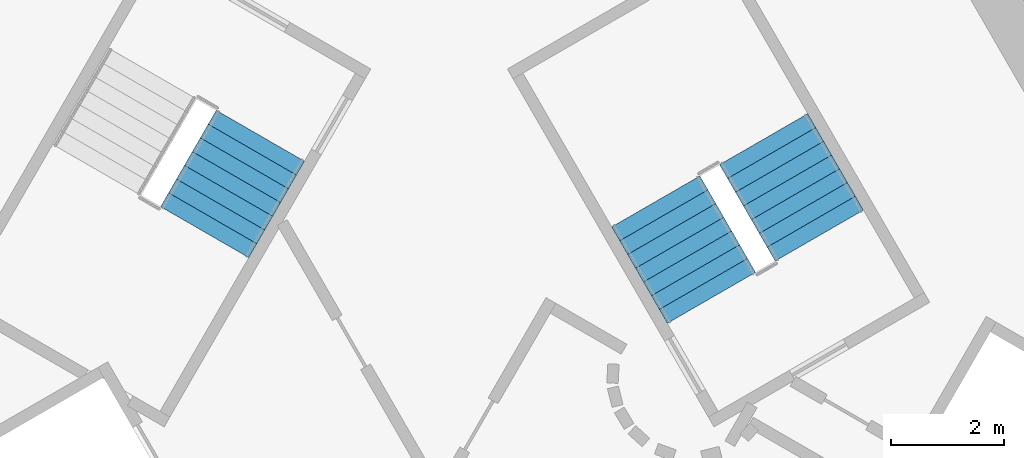
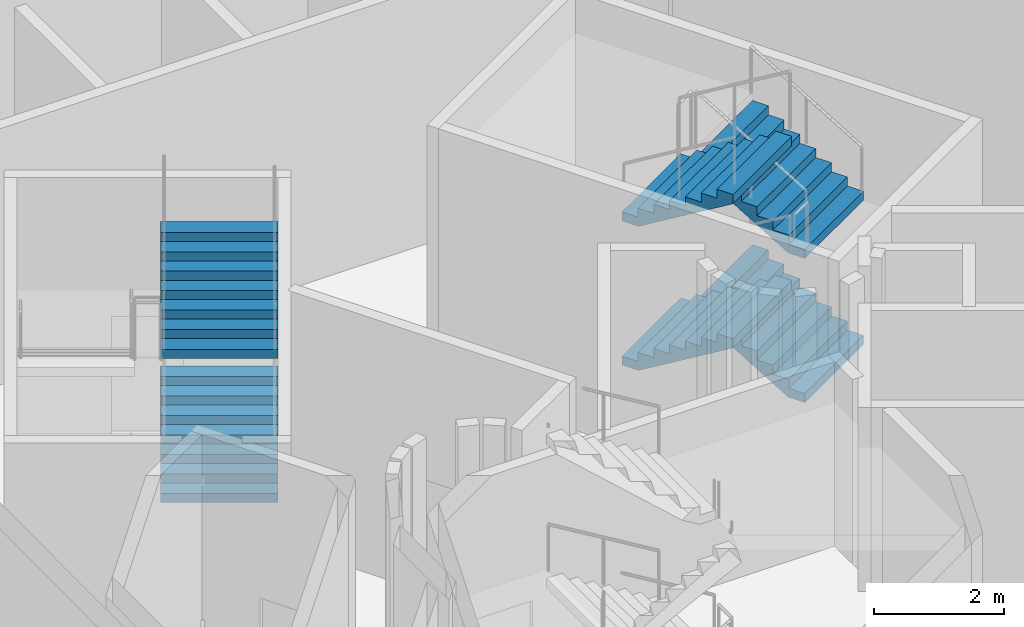
# One storey, part 15 of 22: 6 stair flights, 2 elements without a shape of their own.
"""IFC4 building model written with IfcOpenShell, lengths in metres."""

from ifc_helpers import new_model, si_unit, direction, frame, origin, place, context, subcontext, project, spatial, triangles, material, type_object, element, aggregate, save


model = new_model("IFC4")

# Units and contexts
model_context = context("Model", 3, precision=1e-05, world=origin(), true_north=direction((0.0, 1.0)))
body_context = subcontext(model_context, "Body", "Model", "MODEL_VIEW")
ifc_project = project(units=[si_unit("LENGTHUNIT", "METRE"), si_unit("AREAUNIT", "SQUARE_METRE"), si_unit("VOLUMEUNIT", "CUBIC_METRE"), si_unit("PLANEANGLEUNIT", "RADIAN"), si_unit("MASSUNIT", "GRAM", prefix="KILO")], contexts=[model_context])

# Site, building, storey
site_placement = place(None, origin())
site = spatial("IfcSite", under=ifc_project, at=site_placement, CompositionType="ELEMENT")
building_placement = place(site_placement, origin())
building = spatial("IfcBuilding", under=site, at=building_placement, Name="Entoto Arch Interchange Tower", CompositionType="ELEMENT")
storey_placement = place(building_placement, frame((0.0, 0.0, 132.800048828125)))
storey = spatial("IfcBuildingStorey", under=building, at=storey_placement, Name="L29", CompositionType="ELEMENT", Elevation=132.800048828125)

# Stair, stair flights
ifc_material = material(Name="Concrete C40/50", Category="concrete")
stair_type = type_object("IfcStairType", Name="EXIT STAIR RC 1800", PredefinedType="HALF_TURN_STAIR", material=ifc_material)
stair_1_placement = place(storey_placement, origin())
stair_1 = element("IfcStair", 1, at=stair_1_placement, inside=storey, type_object=stair_type, Name="L29 Exit stair NE", PredefinedType="HALF_TURN_STAIR")
stair_flight_type = type_object("IfcStairFlightType", Name="EXIT STAIR FLIGHT RC 1800", PredefinedType="STRAIGHT", material=ifc_material)
stair_flight_1_placement = place(storey_placement, frame((6.7138671875, 4.470947265625, 0.0), z_axis=(0.0, 0.0, 1.0), x_axis=(-0.5, 0.866025403784, 0.0)))
stair_flight_1 = element("IfcStairFlight", 2, at=stair_flight_1_placement, type_object=stair_flight_type, Name="ST-NE flight 1", NumberOfRisers=8, NumberOfTreads=7, PredefinedType="STRAIGHT", RiserHeight=0.16875, TreadLength=0.28, context=body_context, shape_type="Tessellation", body=[
    triangles([(-0.003, -0.900024, 0.0), (-0.003, -0.900024, 0.16875), (0.28, -0.900024, 0.16875), (0.28, -0.900024, 0.3375), (0.56, -0.900024, 0.3375), (0.56, -0.900024, 0.50625), (0.84, -0.900024, 0.50625), (0.84, -0.900024, 0.675), (1.12, -0.900024, 0.675), (1.12, -0.900024, 0.84375), (1.4, -0.900024, 0.84375), (1.4, -0.900024, 1.0125), (1.68, -0.900024, 1.0125), (1.68, -0.900024, 1.18125), (1.96, -0.900024, 1.18125), (1.963, -0.900024, 1.18125), (1.963, -0.900024, 1.008036), (0.290406, -0.900024, 0.0), (-0.003, 0.900024, 0.0), (-0.003, 0.900024, 0.16875), (0.28, 0.900024, 0.16875), (0.28, 0.900024, 0.3375), (0.56, 0.900024, 0.3375), (0.56, 0.900024, 0.50625), (0.84, 0.900024, 0.50625), (0.84, 0.900024, 0.675), (1.12, 0.900024, 0.675), (1.12, 0.900024, 0.84375), (1.4, 0.900024, 0.84375), (1.4, 0.900024, 1.0125), (1.68, 0.900024, 1.0125), (1.68, 0.900024, 1.18125), (1.96, 0.900024, 1.18125), (1.963, 0.900024, 1.18125), (1.963, 0.900024, 1.008036), (0.290406, 0.900024, 0.0), (-0.003, -0.450012, 0.0), (-0.003, -0.450012, 0.16875), (-0.003, 0.0, 0.0), (-0.003, 0.0, 0.16875), (-0.003, 0.450012, 0.0), (-0.003, 0.450012, 0.16875), (0.28, -0.450012, 0.16875), (0.28, 0.0, 0.16875), (0.28, 0.450012, 0.16875), (0.28, -0.450012, 0.3375), (0.28, 0.0, 0.3375), (0.28, 0.450012, 0.3375), (0.56, -0.450012, 0.3375), (0.56, 0.0, 0.3375), (0.56, 0.450012, 0.3375), (0.56, -0.450012, 0.50625), (0.56, 0.0, 0.50625), (0.56, 0.450012, 0.50625), (0.84, -0.450012, 0.50625), (0.84, 0.0, 0.50625), (0.84, 0.450012, 0.50625), (0.84, -0.450012, 0.675), (0.84, 0.0, 0.675), (0.84, 0.450012, 0.675), (1.12, -0.450012, 0.675), (1.12, 0.0, 0.675), (1.12, 0.450012, 0.675), (1.12, -0.450012, 0.84375), (1.12, 0.0, 0.84375), (1.12, 0.450012, 0.84375), (1.4, -0.450012, 0.84375), (1.4, 0.0, 0.84375), (1.4, 0.450012, 0.84375), (1.4, -0.450012, 1.0125), (1.4, 0.0, 1.0125), (1.4, 0.450012, 1.0125), (1.68, -0.450012, 1.0125), (1.68, 0.0, 1.0125), (1.68, 0.450012, 1.0125), (1.68, -0.450012, 1.18125), (1.68, 0.0, 1.18125), (1.68, 0.450012, 1.18125), (1.96, -0.450012, 1.18125), (1.96, 0.0, 1.18125), (1.96, 0.450012, 1.18125), (1.963, -0.450012, 1.18125), (1.963, 0.0, 1.18125), (1.963, 0.450012, 1.18125), (1.963, -0.450012, 1.008036), (1.963, 0.0, 1.008036), (1.963, 0.450012, 1.008036), (0.290406, -0.450012, 0.0), (0.290406, 0.0, 0.0), (0.290406, 0.450012, 0.0)], [[1, 18, 17], [17, 16, 15], [17, 15, 14], [17, 14, 13], [17, 13, 12], [17, 12, 11], [11, 10, 9], [17, 11, 9], [9, 8, 7], [17, 9, 7], [7, 6, 5], [17, 7, 5], [5, 4, 3], [17, 5, 3], [1, 17, 3], [3, 2, 1], [19, 35, 36], [35, 33, 34], [35, 32, 33], [35, 31, 32], [35, 30, 31], [35, 29, 30], [29, 27, 28], [35, 27, 29], [27, 25, 26], [35, 25, 27], [25, 23, 24], [35, 23, 25], [23, 21, 22], [35, 21, 23], [19, 21, 35], [21, 19, 20], [1, 2, 38], [1, 38, 37], [37, 38, 40], [37, 40, 39], [39, 40, 42], [39, 42, 41], [41, 42, 20], [41, 20, 19], [2, 3, 43], [2, 43, 38], [38, 43, 44], [38, 44, 40], [40, 44, 45], [40, 45, 42], [42, 45, 21], [42, 21, 20], [3, 4, 46], [3, 46, 43], [43, 46, 47], [43, 47, 44], [44, 47, 48], [44, 48, 45], [45, 48, 22], [45, 22, 21], [4, 5, 49], [4, 49, 46], [46, 49, 50], [46, 50, 47], [47, 50, 51], [47, 51, 48], [48, 51, 23], [48, 23, 22], [5, 6, 52], [5, 52, 49], [49, 52, 53], [49, 53, 50], [50, 53, 54], [50, 54, 51], [51, 54, 24], [51, 24, 23], [6, 7, 55], [6, 55, 52], [52, 55, 56], [52, 56, 53], [53, 56, 57], [53, 57, 54], [54, 57, 25], [54, 25, 24], [7, 8, 58], [7, 58, 55], [55, 58, 59], [55, 59, 56], [56, 59, 60], [56, 60, 57], [57, 60, 26], [57, 26, 25], [8, 9, 61], [8, 61, 58], [58, 61, 62], [58, 62, 59], [59, 62, 63], [59, 63, 60], [60, 63, 27], [60, 27, 26], [9, 10, 64], [9, 64, 61], [61, 64, 65], [61, 65, 62], [62, 65, 66], [62, 66, 63], [63, 66, 28], [63, 28, 27], [10, 11, 67], [10, 67, 64], [64, 67, 68], [64, 68, 65], [65, 68, 69], [65, 69, 66], [66, 69, 29], [66, 29, 28], [11, 12, 70], [11, 70, 67], [67, 70, 71], [67, 71, 68], [68, 71, 72], [68, 72, 69], [69, 72, 30], [69, 30, 29], [12, 13, 73], [12, 73, 70], [70, 73, 74], [70, 74, 71], [71, 74, 75], [71, 75, 72], [72, 75, 31], [72, 31, 30], [13, 14, 76], [13, 76, 73], [73, 76, 77], [73, 77, 74], [74, 77, 78], [74, 78, 75], [75, 78, 32], [75, 32, 31], [14, 15, 79], [14, 79, 76], [76, 79, 80], [76, 80, 77], [77, 80, 81], [77, 81, 78], [78, 81, 33], [78, 33, 32], [15, 16, 82], [15, 82, 79], [79, 82, 83], [79, 83, 80], [80, 83, 84], [80, 84, 81], [81, 84, 34], [81, 34, 33], [16, 17, 85], [16, 85, 82], [82, 85, 86], [82, 86, 83], [83, 86, 87], [83, 87, 84], [84, 87, 35], [84, 35, 34], [17, 18, 88], [17, 88, 85], [85, 88, 89], [85, 89, 86], [86, 89, 90], [86, 90, 87], [87, 90, 36], [87, 36, 35], [18, 1, 37], [18, 37, 88], [88, 37, 39], [88, 39, 89], [89, 39, 41], [89, 41, 90], [90, 41, 19], [90, 19, 36]], closed=True),
])
stair_flight_2_placement = place(storey_placement, frame((3.82861328125, 5.068359375, 1.349853515625), z_axis=(0.0, 0.0, 1.0), x_axis=(0.5, -0.866025403784, 0.0)))
stair_flight_2 = element("IfcStairFlight", 3, at=stair_flight_2_placement, type_object=stair_flight_type, Name="ST-NE flight 2", NumberOfRisers=8, NumberOfTreads=7, PredefinedType="STRAIGHT", RiserHeight=0.16875, TreadLength=0.28, context=body_context, shape_type="Tessellation", body=[
    triangles([(-0.003, -0.900024, 0.0), (-0.003, -0.900024, 0.16875), (0.28, -0.900024, 0.16875), (0.28, -0.900024, 0.3375), (0.56, -0.900024, 0.3375), (0.56, -0.900024, 0.50625), (0.84, -0.900024, 0.50625), (0.84, -0.900024, 0.675), (1.12, -0.900024, 0.675), (1.12, -0.900024, 0.84375), (1.4, -0.900024, 0.84375), (1.4, -0.900024, 1.0125), (1.68, -0.900024, 1.0125), (1.68, -0.900024, 1.18125), (1.96, -0.900024, 1.18125), (1.963, -0.900024, 1.18125), (1.963, -0.900024, 1.008036), (0.290406, -0.900024, 0.0), (-0.003, 0.900024, 0.0), (-0.003, 0.900024, 0.16875), (0.28, 0.900024, 0.16875), (0.28, 0.900024, 0.3375), (0.56, 0.900024, 0.3375), (0.56, 0.900024, 0.50625), (0.84, 0.900024, 0.50625), (0.84, 0.900024, 0.675), (1.12, 0.900024, 0.675), (1.12, 0.900024, 0.84375), (1.4, 0.900024, 0.84375), (1.4, 0.900024, 1.0125), (1.68, 0.900024, 1.0125), (1.68, 0.900024, 1.18125), (1.96, 0.900024, 1.18125), (1.963, 0.900024, 1.18125), (1.963, 0.900024, 1.008036), (0.290406, 0.900024, 0.0), (-0.003, -0.450012, 0.0), (-0.003, -0.450012, 0.16875), (-0.003, 0.0, 0.0), (-0.003, 0.0, 0.16875), (-0.003, 0.450012, 0.0), (-0.003, 0.450012, 0.16875), (0.28, -0.450012, 0.16875), (0.28, 0.0, 0.16875), (0.28, 0.450012, 0.16875), (0.28, -0.450012, 0.3375), (0.28, 0.0, 0.3375), (0.28, 0.450012, 0.3375), (0.56, -0.450012, 0.3375), (0.56, 0.0, 0.3375), (0.56, 0.450012, 0.3375), (0.56, -0.450012, 0.50625), (0.56, 0.0, 0.50625), (0.56, 0.450012, 0.50625), (0.84, -0.450012, 0.50625), (0.84, 0.0, 0.50625), (0.84, 0.450012, 0.50625), (0.84, -0.450012, 0.675), (0.84, 0.0, 0.675), (0.84, 0.450012, 0.675), (1.12, -0.450012, 0.675), (1.12, 0.0, 0.675), (1.12, 0.450012, 0.675), (1.12, -0.450012, 0.84375), (1.12, 0.0, 0.84375), (1.12, 0.450012, 0.84375), (1.4, -0.450012, 0.84375), (1.4, 0.0, 0.84375), (1.4, 0.450012, 0.84375), (1.4, -0.450012, 1.0125), (1.4, 0.0, 1.0125), (1.4, 0.450012, 1.0125), (1.68, -0.450012, 1.0125), (1.68, 0.0, 1.0125), (1.68, 0.450012, 1.0125), (1.68, -0.450012, 1.18125), (1.68, 0.0, 1.18125), (1.68, 0.450012, 1.18125), (1.96, -0.450012, 1.18125), (1.96, 0.0, 1.18125), (1.96, 0.450012, 1.18125), (1.963, -0.450012, 1.18125), (1.963, 0.0, 1.18125), (1.963, 0.450012, 1.18125), (1.963, -0.450012, 1.008036), (1.963, 0.0, 1.008036), (1.963, 0.450012, 1.008036), (0.290406, -0.450012, 0.0), (0.290406, 0.0, 0.0), (0.290406, 0.450012, 0.0)], [[1, 18, 17], [17, 16, 15], [17, 15, 14], [17, 14, 13], [17, 13, 12], [17, 12, 11], [11, 10, 9], [17, 11, 9], [9, 8, 7], [17, 9, 7], [7, 6, 5], [17, 7, 5], [5, 4, 3], [17, 5, 3], [1, 17, 3], [3, 2, 1], [19, 35, 36], [35, 33, 34], [35, 32, 33], [35, 31, 32], [35, 30, 31], [35, 29, 30], [29, 27, 28], [35, 27, 29], [27, 25, 26], [35, 25, 27], [25, 23, 24], [35, 23, 25], [23, 21, 22], [35, 21, 23], [19, 21, 35], [21, 19, 20], [1, 2, 38], [1, 38, 37], [37, 38, 40], [37, 40, 39], [39, 40, 42], [39, 42, 41], [41, 42, 20], [41, 20, 19], [2, 3, 43], [2, 43, 38], [38, 43, 44], [38, 44, 40], [40, 44, 45], [40, 45, 42], [42, 45, 21], [42, 21, 20], [3, 4, 46], [3, 46, 43], [43, 46, 47], [43, 47, 44], [44, 47, 48], [44, 48, 45], [45, 48, 22], [45, 22, 21], [4, 5, 49], [4, 49, 46], [46, 49, 50], [46, 50, 47], [47, 50, 51], [47, 51, 48], [48, 51, 23], [48, 23, 22], [5, 6, 52], [5, 52, 49], [49, 52, 53], [49, 53, 50], [50, 53, 54], [50, 54, 51], [51, 54, 24], [51, 24, 23], [6, 7, 55], [6, 55, 52], [52, 55, 56], [52, 56, 53], [53, 56, 57], [53, 57, 54], [54, 57, 25], [54, 25, 24], [7, 8, 58], [7, 58, 55], [55, 58, 59], [55, 59, 56], [56, 59, 60], [56, 60, 57], [57, 60, 26], [57, 26, 25], [8, 9, 61], [8, 61, 58], [58, 61, 62], [58, 62, 59], [59, 62, 63], [59, 63, 60], [60, 63, 27], [60, 27, 26], [9, 10, 64], [9, 64, 61], [61, 64, 65], [61, 65, 62], [62, 65, 66], [62, 66, 63], [63, 66, 28], [63, 28, 27], [10, 11, 67], [10, 67, 64], [64, 67, 68], [64, 68, 65], [65, 68, 69], [65, 69, 66], [66, 69, 29], [66, 29, 28], [11, 12, 70], [11, 70, 67], [67, 70, 71], [67, 71, 68], [68, 71, 72], [68, 72, 69], [69, 72, 30], [69, 30, 29], [12, 13, 73], [12, 73, 70], [70, 73, 74], [70, 74, 71], [71, 74, 75], [71, 75, 72], [72, 75, 31], [72, 31, 30], [13, 14, 76], [13, 76, 73], [73, 76, 77], [73, 77, 74], [74, 77, 78], [74, 78, 75], [75, 78, 32], [75, 32, 31], [14, 15, 79], [14, 79, 76], [76, 79, 80], [76, 80, 77], [77, 80, 81], [77, 81, 78], [78, 81, 33], [78, 33, 32], [15, 16, 82], [15, 82, 79], [79, 82, 83], [79, 83, 80], [80, 83, 84], [80, 84, 81], [81, 84, 34], [81, 34, 33], [16, 17, 85], [16, 85, 82], [82, 85, 86], [82, 86, 83], [83, 86, 87], [83, 87, 84], [84, 87, 35], [84, 35, 34], [17, 18, 88], [17, 88, 85], [85, 88, 89], [85, 89, 86], [86, 89, 90], [86, 90, 87], [87, 90, 36], [87, 36, 35], [18, 1, 37], [18, 37, 88], [88, 37, 39], [88, 39, 89], [89, 39, 41], [89, 41, 90], [90, 41, 19], [90, 19, 36]], closed=True),
])
stair_flight_3_placement = place(storey_placement, frame((6.7138671875, 4.470947265625, 2.699951171875), z_axis=(0.0, 0.0, 1.0), x_axis=(-0.5, 0.866025403784, 0.0)))
stair_flight_3 = element("IfcStairFlight", 4, at=stair_flight_3_placement, type_object=stair_flight_type, Name="ST-NE flight 3", NumberOfRisers=8, NumberOfTreads=7, PredefinedType="STRAIGHT", RiserHeight=0.16875, TreadLength=0.28, context=body_context, shape_type="Tessellation", body=[
    triangles([(-0.003, -0.900024, 0.0), (-0.003, -0.900024, 0.16875), (0.28, -0.900024, 0.16875), (0.28, -0.900024, 0.3375), (0.56, -0.900024, 0.3375), (0.56, -0.900024, 0.50625), (0.84, -0.900024, 0.50625), (0.84, -0.900024, 0.675), (1.12, -0.900024, 0.675), (1.12, -0.900024, 0.84375), (1.4, -0.900024, 0.84375), (1.4, -0.900024, 1.0125), (1.68, -0.900024, 1.0125), (1.68, -0.900024, 1.18125), (1.96, -0.900024, 1.18125), (1.963, -0.900024, 1.18125), (1.963, -0.900024, 1.008036), (0.290406, -0.900024, 0.0), (-0.003, 0.900024, 0.0), (-0.003, 0.900024, 0.16875), (0.28, 0.900024, 0.16875), (0.28, 0.900024, 0.3375), (0.56, 0.900024, 0.3375), (0.56, 0.900024, 0.50625), (0.84, 0.900024, 0.50625), (0.84, 0.900024, 0.675), (1.12, 0.900024, 0.675), (1.12, 0.900024, 0.84375), (1.4, 0.900024, 0.84375), (1.4, 0.900024, 1.0125), (1.68, 0.900024, 1.0125), (1.68, 0.900024, 1.18125), (1.96, 0.900024, 1.18125), (1.963, 0.900024, 1.18125), (1.963, 0.900024, 1.008036), (0.290406, 0.900024, 0.0), (-0.003, -0.450012, 0.0), (-0.003, -0.450012, 0.16875), (-0.003, 0.0, 0.0), (-0.003, 0.0, 0.16875), (-0.003, 0.450012, 0.0), (-0.003, 0.450012, 0.16875), (0.28, -0.450012, 0.16875), (0.28, 0.0, 0.16875), (0.28, 0.450012, 0.16875), (0.28, -0.450012, 0.3375), (0.28, 0.0, 0.3375), (0.28, 0.450012, 0.3375), (0.56, -0.450012, 0.3375), (0.56, 0.0, 0.3375), (0.56, 0.450012, 0.3375), (0.56, -0.450012, 0.50625), (0.56, 0.0, 0.50625), (0.56, 0.450012, 0.50625), (0.84, -0.450012, 0.50625), (0.84, 0.0, 0.50625), (0.84, 0.450012, 0.50625), (0.84, -0.450012, 0.675), (0.84, 0.0, 0.675), (0.84, 0.450012, 0.675), (1.12, -0.450012, 0.675), (1.12, 0.0, 0.675), (1.12, 0.450012, 0.675), (1.12, -0.450012, 0.84375), (1.12, 0.0, 0.84375), (1.12, 0.450012, 0.84375), (1.4, -0.450012, 0.84375), (1.4, 0.0, 0.84375), (1.4, 0.450012, 0.84375), (1.4, -0.450012, 1.0125), (1.4, 0.0, 1.0125), (1.4, 0.450012, 1.0125), (1.68, -0.450012, 1.0125), (1.68, 0.0, 1.0125), (1.68, 0.450012, 1.0125), (1.68, -0.450012, 1.18125), (1.68, 0.0, 1.18125), (1.68, 0.450012, 1.18125), (1.96, -0.450012, 1.18125), (1.96, 0.0, 1.18125), (1.96, 0.450012, 1.18125), (1.963, -0.450012, 1.18125), (1.963, 0.0, 1.18125), (1.963, 0.450012, 1.18125), (1.963, -0.450012, 1.008036), (1.963, 0.0, 1.008036), (1.963, 0.450012, 1.008036), (0.290406, -0.450012, 0.0), (0.290406, 0.0, 0.0), (0.290406, 0.450012, 0.0)], [[1, 18, 17], [17, 16, 15], [17, 15, 14], [17, 14, 13], [17, 13, 12], [17, 12, 11], [11, 10, 9], [17, 11, 9], [9, 8, 7], [17, 9, 7], [7, 6, 5], [17, 7, 5], [5, 4, 3], [17, 5, 3], [1, 17, 3], [3, 2, 1], [19, 35, 36], [35, 33, 34], [35, 32, 33], [35, 31, 32], [35, 30, 31], [35, 29, 30], [29, 27, 28], [35, 27, 29], [27, 25, 26], [35, 25, 27], [25, 23, 24], [35, 23, 25], [23, 21, 22], [35, 21, 23], [19, 21, 35], [21, 19, 20], [1, 2, 38], [1, 38, 37], [37, 38, 40], [37, 40, 39], [39, 40, 42], [39, 42, 41], [41, 42, 20], [41, 20, 19], [2, 3, 43], [2, 43, 38], [38, 43, 44], [38, 44, 40], [40, 44, 45], [40, 45, 42], [42, 45, 21], [42, 21, 20], [3, 4, 46], [3, 46, 43], [43, 46, 47], [43, 47, 44], [44, 47, 48], [44, 48, 45], [45, 48, 22], [45, 22, 21], [4, 5, 49], [4, 49, 46], [46, 49, 50], [46, 50, 47], [47, 50, 51], [47, 51, 48], [48, 51, 23], [48, 23, 22], [5, 6, 52], [5, 52, 49], [49, 52, 53], [49, 53, 50], [50, 53, 54], [50, 54, 51], [51, 54, 24], [51, 24, 23], [6, 7, 55], [6, 55, 52], [52, 55, 56], [52, 56, 53], [53, 56, 57], [53, 57, 54], [54, 57, 25], [54, 25, 24], [7, 8, 58], [7, 58, 55], [55, 58, 59], [55, 59, 56], [56, 59, 60], [56, 60, 57], [57, 60, 26], [57, 26, 25], [8, 9, 61], [8, 61, 58], [58, 61, 62], [58, 62, 59], [59, 62, 63], [59, 63, 60], [60, 63, 27], [60, 27, 26], [9, 10, 64], [9, 64, 61], [61, 64, 65], [61, 65, 62], [62, 65, 66], [62, 66, 63], [63, 66, 28], [63, 28, 27], [10, 11, 67], [10, 67, 64], [64, 67, 68], [64, 68, 65], [65, 68, 69], [65, 69, 66], [66, 69, 29], [66, 29, 28], [11, 12, 70], [11, 70, 67], [67, 70, 71], [67, 71, 68], [68, 71, 72], [68, 72, 69], [69, 72, 30], [69, 30, 29], [12, 13, 73], [12, 73, 70], [70, 73, 74], [70, 74, 71], [71, 74, 75], [71, 75, 72], [72, 75, 31], [72, 31, 30], [13, 14, 76], [13, 76, 73], [73, 76, 77], [73, 77, 74], [74, 77, 78], [74, 78, 75], [75, 78, 32], [75, 32, 31], [14, 15, 79], [14, 79, 76], [76, 79, 80], [76, 80, 77], [77, 80, 81], [77, 81, 78], [78, 81, 33], [78, 33, 32], [15, 16, 82], [15, 82, 79], [79, 82, 83], [79, 83, 80], [80, 83, 84], [80, 84, 81], [81, 84, 34], [81, 34, 33], [16, 17, 85], [16, 85, 82], [82, 85, 86], [82, 86, 83], [83, 86, 87], [83, 87, 84], [84, 87, 35], [84, 35, 34], [17, 18, 88], [17, 88, 85], [85, 88, 89], [85, 89, 86], [86, 89, 90], [86, 90, 87], [87, 90, 36], [87, 36, 35], [18, 1, 37], [18, 37, 88], [88, 37, 39], [88, 39, 89], [89, 39, 41], [89, 41, 90], [90, 41, 19], [90, 19, 36]], closed=True),
])
stair_flight_4_placement = place(storey_placement, frame((3.82861328125, 5.068359375, 4.050048828125), z_axis=(0.0, 0.0, 1.0), x_axis=(0.5, -0.866025403784, 0.0)))
stair_flight_4 = element("IfcStairFlight", 5, at=stair_flight_4_placement, type_object=stair_flight_type, Name="ST-NE flight 4", NumberOfRisers=8, NumberOfTreads=7, PredefinedType="STRAIGHT", RiserHeight=0.16875, TreadLength=0.28, context=body_context, shape_type="Tessellation", body=[
    triangles([(-0.003, -0.900024, 0.0), (-0.003, -0.900024, 0.16875), (0.28, -0.900024, 0.16875), (0.28, -0.900024, 0.3375), (0.56, -0.900024, 0.3375), (0.56, -0.900024, 0.50625), (0.84, -0.900024, 0.50625), (0.84, -0.900024, 0.675), (1.12, -0.900024, 0.675), (1.12, -0.900024, 0.84375), (1.4, -0.900024, 0.84375), (1.4, -0.900024, 1.0125), (1.68, -0.900024, 1.0125), (1.68, -0.900024, 1.18125), (1.96, -0.900024, 1.18125), (1.963, -0.900024, 1.18125), (1.963, -0.900024, 1.008036), (0.290406, -0.900024, 0.0), (-0.003, 0.900024, 0.0), (-0.003, 0.900024, 0.16875), (0.28, 0.900024, 0.16875), (0.28, 0.900024, 0.3375), (0.56, 0.900024, 0.3375), (0.56, 0.900024, 0.50625), (0.84, 0.900024, 0.50625), (0.84, 0.900024, 0.675), (1.12, 0.900024, 0.675), (1.12, 0.900024, 0.84375), (1.4, 0.900024, 0.84375), (1.4, 0.900024, 1.0125), (1.68, 0.900024, 1.0125), (1.68, 0.900024, 1.18125), (1.96, 0.900024, 1.18125), (1.963, 0.900024, 1.18125), (1.963, 0.900024, 1.008036), (0.290406, 0.900024, 0.0), (-0.003, -0.450012, 0.0), (-0.003, -0.450012, 0.16875), (-0.003, 0.0, 0.0), (-0.003, 0.0, 0.16875), (-0.003, 0.450012, 0.0), (-0.003, 0.450012, 0.16875), (0.28, -0.450012, 0.16875), (0.28, 0.0, 0.16875), (0.28, 0.450012, 0.16875), (0.28, -0.450012, 0.3375), (0.28, 0.0, 0.3375), (0.28, 0.450012, 0.3375), (0.56, -0.450012, 0.3375), (0.56, 0.0, 0.3375), (0.56, 0.450012, 0.3375), (0.56, -0.450012, 0.50625), (0.56, 0.0, 0.50625), (0.56, 0.450012, 0.50625), (0.84, -0.450012, 0.50625), (0.84, 0.0, 0.50625), (0.84, 0.450012, 0.50625), (0.84, -0.450012, 0.675), (0.84, 0.0, 0.675), (0.84, 0.450012, 0.675), (1.12, -0.450012, 0.675), (1.12, 0.0, 0.675), (1.12, 0.450012, 0.675), (1.12, -0.450012, 0.84375), (1.12, 0.0, 0.84375), (1.12, 0.450012, 0.84375), (1.4, -0.450012, 0.84375), (1.4, 0.0, 0.84375), (1.4, 0.450012, 0.84375), (1.4, -0.450012, 1.0125), (1.4, 0.0, 1.0125), (1.4, 0.450012, 1.0125), (1.68, -0.450012, 1.0125), (1.68, 0.0, 1.0125), (1.68, 0.450012, 1.0125), (1.68, -0.450012, 1.18125), (1.68, 0.0, 1.18125), (1.68, 0.450012, 1.18125), (1.96, -0.450012, 1.18125), (1.96, 0.0, 1.18125), (1.96, 0.450012, 1.18125), (1.963, -0.450012, 1.18125), (1.963, 0.0, 1.18125), (1.963, 0.450012, 1.18125), (1.963, -0.450012, 1.008036), (1.963, 0.0, 1.008036), (1.963, 0.450012, 1.008036), (0.290406, -0.450012, 0.0), (0.290406, 0.0, 0.0), (0.290406, 0.450012, 0.0)], [[1, 18, 17], [17, 16, 15], [17, 15, 14], [17, 14, 13], [17, 13, 12], [17, 12, 11], [11, 10, 9], [17, 11, 9], [9, 8, 7], [17, 9, 7], [7, 6, 5], [17, 7, 5], [5, 4, 3], [17, 5, 3], [1, 17, 3], [3, 2, 1], [19, 35, 36], [35, 33, 34], [35, 32, 33], [35, 31, 32], [35, 30, 31], [35, 29, 30], [29, 27, 28], [35, 27, 29], [27, 25, 26], [35, 25, 27], [25, 23, 24], [35, 23, 25], [23, 21, 22], [35, 21, 23], [19, 21, 35], [21, 19, 20], [1, 2, 38], [1, 38, 37], [37, 38, 40], [37, 40, 39], [39, 40, 42], [39, 42, 41], [41, 42, 20], [41, 20, 19], [2, 3, 43], [2, 43, 38], [38, 43, 44], [38, 44, 40], [40, 44, 45], [40, 45, 42], [42, 45, 21], [42, 21, 20], [3, 4, 46], [3, 46, 43], [43, 46, 47], [43, 47, 44], [44, 47, 48], [44, 48, 45], [45, 48, 22], [45, 22, 21], [4, 5, 49], [4, 49, 46], [46, 49, 50], [46, 50, 47], [47, 50, 51], [47, 51, 48], [48, 51, 23], [48, 23, 22], [5, 6, 52], [5, 52, 49], [49, 52, 53], [49, 53, 50], [50, 53, 54], [50, 54, 51], [51, 54, 24], [51, 24, 23], [6, 7, 55], [6, 55, 52], [52, 55, 56], [52, 56, 53], [53, 56, 57], [53, 57, 54], [54, 57, 25], [54, 25, 24], [7, 8, 58], [7, 58, 55], [55, 58, 59], [55, 59, 56], [56, 59, 60], [56, 60, 57], [57, 60, 26], [57, 26, 25], [8, 9, 61], [8, 61, 58], [58, 61, 62], [58, 62, 59], [59, 62, 63], [59, 63, 60], [60, 63, 27], [60, 27, 26], [9, 10, 64], [9, 64, 61], [61, 64, 65], [61, 65, 62], [62, 65, 66], [62, 66, 63], [63, 66, 28], [63, 28, 27], [10, 11, 67], [10, 67, 64], [64, 67, 68], [64, 68, 65], [65, 68, 69], [65, 69, 66], [66, 69, 29], [66, 29, 28], [11, 12, 70], [11, 70, 67], [67, 70, 71], [67, 71, 68], [68, 71, 72], [68, 72, 69], [69, 72, 30], [69, 30, 29], [12, 13, 73], [12, 73, 70], [70, 73, 74], [70, 74, 71], [71, 74, 75], [71, 75, 72], [72, 75, 31], [72, 31, 30], [13, 14, 76], [13, 76, 73], [73, 76, 77], [73, 77, 74], [74, 77, 78], [74, 78, 75], [75, 78, 32], [75, 32, 31], [14, 15, 79], [14, 79, 76], [76, 79, 80], [76, 80, 77], [77, 80, 81], [77, 81, 78], [78, 81, 33], [78, 33, 32], [15, 16, 82], [15, 82, 79], [79, 82, 83], [79, 83, 80], [80, 83, 84], [80, 84, 81], [81, 84, 34], [81, 34, 33], [16, 17, 85], [16, 85, 82], [82, 85, 86], [82, 86, 83], [83, 86, 87], [83, 87, 84], [84, 87, 35], [84, 35, 34], [17, 18, 88], [17, 88, 85], [85, 88, 89], [85, 89, 86], [86, 89, 90], [86, 90, 87], [87, 90, 36], [87, 36, 35], [18, 1, 37], [18, 37, 88], [88, 37, 39], [88, 39, 89], [89, 39, 41], [89, 41, 90], [90, 41, 19], [90, 19, 36]], closed=True),
])
aggregate(stair_1, [stair_flight_1, stair_flight_2, stair_flight_3, stair_flight_4])

stair_2_placement = place(storey_placement, origin())
stair_2 = element("IfcStair", 6, at=stair_2_placement, inside=storey, type_object=stair_type, Name="L29 Exit stair NW", PredefinedType="HALF_TURN_STAIR")
stair_flight_5_placement = place(storey_placement, frame((-4.138671875, 4.531494140625, 1.349853515625), z_axis=(0.0, 0.0, 1.0), x_axis=(0.5, 0.866025403784, 0.0)))
stair_flight_5 = element("IfcStairFlight", 7, at=stair_flight_5_placement, type_object=stair_flight_type, Name="ST-NW flight 2", NumberOfRisers=8, NumberOfTreads=7, PredefinedType="STRAIGHT", RiserHeight=0.16875, TreadLength=0.28, context=body_context, shape_type="Tessellation", body=[
    triangles([(-0.003, -0.900024, 0.0), (-0.003, -0.900024, 0.16875), (0.28, -0.900024, 0.16875), (0.28, -0.900024, 0.3375), (0.56, -0.900024, 0.3375), (0.56, -0.900024, 0.50625), (0.84, -0.900024, 0.50625), (0.84, -0.900024, 0.675), (1.12, -0.900024, 0.675), (1.12, -0.900024, 0.84375), (1.4, -0.900024, 0.84375), (1.4, -0.900024, 1.0125), (1.68, -0.900024, 1.0125), (1.68, -0.900024, 1.18125), (1.96, -0.900024, 1.18125), (1.963, -0.900024, 1.18125), (1.963, -0.900024, 1.008036), (0.290406, -0.900024, 0.0), (-0.003, 0.900024, 0.0), (-0.003, 0.900024, 0.16875), (0.28, 0.900024, 0.16875), (0.28, 0.900024, 0.3375), (0.56, 0.900024, 0.3375), (0.56, 0.900024, 0.50625), (0.84, 0.900024, 0.50625), (0.84, 0.900024, 0.675), (1.12, 0.900024, 0.675), (1.12, 0.900024, 0.84375), (1.4, 0.900024, 0.84375), (1.4, 0.900024, 1.0125), (1.68, 0.900024, 1.0125), (1.68, 0.900024, 1.18125), (1.96, 0.900024, 1.18125), (1.963, 0.900024, 1.18125), (1.963, 0.900024, 1.008036), (0.290406, 0.900024, 0.0), (-0.003, -0.450012, 0.0), (-0.003, -0.450012, 0.16875), (-0.003, 0.0, 0.0), (-0.003, 0.0, 0.16875), (-0.003, 0.450012, 0.0), (-0.003, 0.450012, 0.16875), (0.28, -0.450012, 0.16875), (0.28, 0.0, 0.16875), (0.28, 0.450012, 0.16875), (0.28, -0.450012, 0.3375), (0.28, 0.0, 0.3375), (0.28, 0.450012, 0.3375), (0.56, -0.450012, 0.3375), (0.56, 0.0, 0.3375), (0.56, 0.450012, 0.3375), (0.56, -0.450012, 0.50625), (0.56, 0.0, 0.50625), (0.56, 0.450012, 0.50625), (0.84, -0.450012, 0.50625), (0.84, 0.0, 0.50625), (0.84, 0.450012, 0.50625), (0.84, -0.450012, 0.675), (0.84, 0.0, 0.675), (0.84, 0.450012, 0.675), (1.12, -0.450012, 0.675), (1.12, 0.0, 0.675), (1.12, 0.450012, 0.675), (1.12, -0.450012, 0.84375), (1.12, 0.0, 0.84375), (1.12, 0.450012, 0.84375), (1.4, -0.450012, 0.84375), (1.4, 0.0, 0.84375), (1.4, 0.450012, 0.84375), (1.4, -0.450012, 1.0125), (1.4, 0.0, 1.0125), (1.4, 0.450012, 1.0125), (1.68, -0.450012, 1.0125), (1.68, 0.0, 1.0125), (1.68, 0.450012, 1.0125), (1.68, -0.450012, 1.18125), (1.68, 0.0, 1.18125), (1.68, 0.450012, 1.18125), (1.96, -0.450012, 1.18125), (1.96, 0.0, 1.18125), (1.96, 0.450012, 1.18125), (1.963, -0.450012, 1.18125), (1.963, 0.0, 1.18125), (1.963, 0.450012, 1.18125), (1.963, -0.450012, 1.008036), (1.963, 0.0, 1.008036), (1.963, 0.450012, 1.008036), (0.290406, -0.450012, 0.0), (0.290406, 0.0, 0.0), (0.290406, 0.450012, 0.0)], [[1, 18, 17], [17, 16, 15], [17, 15, 14], [17, 14, 13], [17, 13, 12], [17, 12, 11], [11, 10, 9], [17, 11, 9], [9, 8, 7], [17, 9, 7], [7, 6, 5], [17, 7, 5], [5, 4, 3], [17, 5, 3], [1, 17, 3], [3, 2, 1], [19, 35, 36], [35, 33, 34], [35, 32, 33], [35, 31, 32], [35, 30, 31], [35, 29, 30], [29, 27, 28], [35, 27, 29], [27, 25, 26], [35, 25, 27], [25, 23, 24], [35, 23, 25], [23, 21, 22], [35, 21, 23], [19, 21, 35], [21, 19, 20], [1, 2, 38], [1, 38, 37], [37, 38, 40], [37, 40, 39], [39, 40, 42], [39, 42, 41], [41, 42, 20], [41, 20, 19], [2, 3, 43], [2, 43, 38], [38, 43, 44], [38, 44, 40], [40, 44, 45], [40, 45, 42], [42, 45, 21], [42, 21, 20], [3, 4, 46], [3, 46, 43], [43, 46, 47], [43, 47, 44], [44, 47, 48], [44, 48, 45], [45, 48, 22], [45, 22, 21], [4, 5, 49], [4, 49, 46], [46, 49, 50], [46, 50, 47], [47, 50, 51], [47, 51, 48], [48, 51, 23], [48, 23, 22], [5, 6, 52], [5, 52, 49], [49, 52, 53], [49, 53, 50], [50, 53, 54], [50, 54, 51], [51, 54, 24], [51, 24, 23], [6, 7, 55], [6, 55, 52], [52, 55, 56], [52, 56, 53], [53, 56, 57], [53, 57, 54], [54, 57, 25], [54, 25, 24], [7, 8, 58], [7, 58, 55], [55, 58, 59], [55, 59, 56], [56, 59, 60], [56, 60, 57], [57, 60, 26], [57, 26, 25], [8, 9, 61], [8, 61, 58], [58, 61, 62], [58, 62, 59], [59, 62, 63], [59, 63, 60], [60, 63, 27], [60, 27, 26], [9, 10, 64], [9, 64, 61], [61, 64, 65], [61, 65, 62], [62, 65, 66], [62, 66, 63], [63, 66, 28], [63, 28, 27], [10, 11, 67], [10, 67, 64], [64, 67, 68], [64, 68, 65], [65, 68, 69], [65, 69, 66], [66, 69, 29], [66, 29, 28], [11, 12, 70], [11, 70, 67], [67, 70, 71], [67, 71, 68], [68, 71, 72], [68, 72, 69], [69, 72, 30], [69, 30, 29], [12, 13, 73], [12, 73, 70], [70, 73, 74], [70, 74, 71], [71, 74, 75], [71, 75, 72], [72, 75, 31], [72, 31, 30], [13, 14, 76], [13, 76, 73], [73, 76, 77], [73, 77, 74], [74, 77, 78], [74, 78, 75], [75, 78, 32], [75, 32, 31], [14, 15, 79], [14, 79, 76], [76, 79, 80], [76, 80, 77], [77, 80, 81], [77, 81, 78], [78, 81, 33], [78, 33, 32], [15, 16, 82], [15, 82, 79], [79, 82, 83], [79, 83, 80], [80, 83, 84], [80, 84, 81], [81, 84, 34], [81, 34, 33], [16, 17, 85], [16, 85, 82], [82, 85, 86], [82, 86, 83], [83, 86, 87], [83, 87, 84], [84, 87, 35], [84, 35, 34], [17, 18, 88], [17, 88, 85], [85, 88, 89], [85, 89, 86], [86, 89, 90], [86, 90, 87], [87, 90, 36], [87, 36, 35], [18, 1, 37], [18, 37, 88], [88, 37, 39], [88, 39, 89], [89, 39, 41], [89, 41, 90], [90, 41, 19], [90, 19, 36]], closed=True),
])
stair_flight_6_placement = place(storey_placement, frame((-4.138671875, 4.531494140625, 4.050048828125), z_axis=(0.0, 0.0, 1.0), x_axis=(0.5, 0.866025403784, 0.0)))
stair_flight_6 = element("IfcStairFlight", 8, at=stair_flight_6_placement, type_object=stair_flight_type, Name="ST-NW flight 4", NumberOfRisers=8, NumberOfTreads=7, PredefinedType="STRAIGHT", RiserHeight=0.16875, TreadLength=0.28, context=body_context, shape_type="Tessellation", body=[
    triangles([(-0.003, -0.900024, 0.0), (-0.003, -0.900024, 0.16875), (0.28, -0.900024, 0.16875), (0.28, -0.900024, 0.3375), (0.56, -0.900024, 0.3375), (0.56, -0.900024, 0.50625), (0.84, -0.900024, 0.50625), (0.84, -0.900024, 0.675), (1.12, -0.900024, 0.675), (1.12, -0.900024, 0.84375), (1.4, -0.900024, 0.84375), (1.4, -0.900024, 1.0125), (1.68, -0.900024, 1.0125), (1.68, -0.900024, 1.18125), (1.96, -0.900024, 1.18125), (1.963, -0.900024, 1.18125), (1.963, -0.900024, 1.008036), (0.290406, -0.900024, 0.0), (-0.003, 0.900024, 0.0), (-0.003, 0.900024, 0.16875), (0.28, 0.900024, 0.16875), (0.28, 0.900024, 0.3375), (0.56, 0.900024, 0.3375), (0.56, 0.900024, 0.50625), (0.84, 0.900024, 0.50625), (0.84, 0.900024, 0.675), (1.12, 0.900024, 0.675), (1.12, 0.900024, 0.84375), (1.4, 0.900024, 0.84375), (1.4, 0.900024, 1.0125), (1.68, 0.900024, 1.0125), (1.68, 0.900024, 1.18125), (1.96, 0.900024, 1.18125), (1.963, 0.900024, 1.18125), (1.963, 0.900024, 1.008036), (0.290406, 0.900024, 0.0), (-0.003, -0.450012, 0.0), (-0.003, -0.450012, 0.16875), (-0.003, 0.0, 0.0), (-0.003, 0.0, 0.16875), (-0.003, 0.450012, 0.0), (-0.003, 0.450012, 0.16875), (0.28, -0.450012, 0.16875), (0.28, 0.0, 0.16875), (0.28, 0.450012, 0.16875), (0.28, -0.450012, 0.3375), (0.28, 0.0, 0.3375), (0.28, 0.450012, 0.3375), (0.56, -0.450012, 0.3375), (0.56, 0.0, 0.3375), (0.56, 0.450012, 0.3375), (0.56, -0.450012, 0.50625), (0.56, 0.0, 0.50625), (0.56, 0.450012, 0.50625), (0.84, -0.450012, 0.50625), (0.84, 0.0, 0.50625), (0.84, 0.450012, 0.50625), (0.84, -0.450012, 0.675), (0.84, 0.0, 0.675), (0.84, 0.450012, 0.675), (1.12, -0.450012, 0.675), (1.12, 0.0, 0.675), (1.12, 0.450012, 0.675), (1.12, -0.450012, 0.84375), (1.12, 0.0, 0.84375), (1.12, 0.450012, 0.84375), (1.4, -0.450012, 0.84375), (1.4, 0.0, 0.84375), (1.4, 0.450012, 0.84375), (1.4, -0.450012, 1.0125), (1.4, 0.0, 1.0125), (1.4, 0.450012, 1.0125), (1.68, -0.450012, 1.0125), (1.68, 0.0, 1.0125), (1.68, 0.450012, 1.0125), (1.68, -0.450012, 1.18125), (1.68, 0.0, 1.18125), (1.68, 0.450012, 1.18125), (1.96, -0.450012, 1.18125), (1.96, 0.0, 1.18125), (1.96, 0.450012, 1.18125), (1.963, -0.450012, 1.18125), (1.963, 0.0, 1.18125), (1.963, 0.450012, 1.18125), (1.963, -0.450012, 1.008036), (1.963, 0.0, 1.008036), (1.963, 0.450012, 1.008036), (0.290406, -0.450012, 0.0), (0.290406, 0.0, 0.0), (0.290406, 0.450012, 0.0)], [[1, 18, 17], [17, 16, 15], [17, 15, 14], [17, 14, 13], [17, 13, 12], [17, 12, 11], [11, 10, 9], [17, 11, 9], [9, 8, 7], [17, 9, 7], [7, 6, 5], [17, 7, 5], [5, 4, 3], [17, 5, 3], [1, 17, 3], [3, 2, 1], [19, 35, 36], [35, 33, 34], [35, 32, 33], [35, 31, 32], [35, 30, 31], [35, 29, 30], [29, 27, 28], [35, 27, 29], [27, 25, 26], [35, 25, 27], [25, 23, 24], [35, 23, 25], [23, 21, 22], [35, 21, 23], [19, 21, 35], [21, 19, 20], [1, 2, 38], [1, 38, 37], [37, 38, 40], [37, 40, 39], [39, 40, 42], [39, 42, 41], [41, 42, 20], [41, 20, 19], [2, 3, 43], [2, 43, 38], [38, 43, 44], [38, 44, 40], [40, 44, 45], [40, 45, 42], [42, 45, 21], [42, 21, 20], [3, 4, 46], [3, 46, 43], [43, 46, 47], [43, 47, 44], [44, 47, 48], [44, 48, 45], [45, 48, 22], [45, 22, 21], [4, 5, 49], [4, 49, 46], [46, 49, 50], [46, 50, 47], [47, 50, 51], [47, 51, 48], [48, 51, 23], [48, 23, 22], [5, 6, 52], [5, 52, 49], [49, 52, 53], [49, 53, 50], [50, 53, 54], [50, 54, 51], [51, 54, 24], [51, 24, 23], [6, 7, 55], [6, 55, 52], [52, 55, 56], [52, 56, 53], [53, 56, 57], [53, 57, 54], [54, 57, 25], [54, 25, 24], [7, 8, 58], [7, 58, 55], [55, 58, 59], [55, 59, 56], [56, 59, 60], [56, 60, 57], [57, 60, 26], [57, 26, 25], [8, 9, 61], [8, 61, 58], [58, 61, 62], [58, 62, 59], [59, 62, 63], [59, 63, 60], [60, 63, 27], [60, 27, 26], [9, 10, 64], [9, 64, 61], [61, 64, 65], [61, 65, 62], [62, 65, 66], [62, 66, 63], [63, 66, 28], [63, 28, 27], [10, 11, 67], [10, 67, 64], [64, 67, 68], [64, 68, 65], [65, 68, 69], [65, 69, 66], [66, 69, 29], [66, 29, 28], [11, 12, 70], [11, 70, 67], [67, 70, 71], [67, 71, 68], [68, 71, 72], [68, 72, 69], [69, 72, 30], [69, 30, 29], [12, 13, 73], [12, 73, 70], [70, 73, 74], [70, 74, 71], [71, 74, 75], [71, 75, 72], [72, 75, 31], [72, 31, 30], [13, 14, 76], [13, 76, 73], [73, 76, 77], [73, 77, 74], [74, 77, 78], [74, 78, 75], [75, 78, 32], [75, 32, 31], [14, 15, 79], [14, 79, 76], [76, 79, 80], [76, 80, 77], [77, 80, 81], [77, 81, 78], [78, 81, 33], [78, 33, 32], [15, 16, 82], [15, 82, 79], [79, 82, 83], [79, 83, 80], [80, 83, 84], [80, 84, 81], [81, 84, 34], [81, 34, 33], [16, 17, 85], [16, 85, 82], [82, 85, 86], [82, 86, 83], [83, 86, 87], [83, 87, 84], [84, 87, 35], [84, 35, 34], [17, 18, 88], [17, 88, 85], [85, 88, 89], [85, 89, 86], [86, 89, 90], [86, 90, 87], [87, 90, 36], [87, 36, 35], [18, 1, 37], [18, 37, 88], [88, 37, 39], [88, 39, 89], [89, 39, 41], [89, 41, 90], [90, 41, 19], [90, 19, 36]], closed=True),
])
aggregate(stair_2, [stair_flight_5, stair_flight_6])

save(model, "model.ifc")
